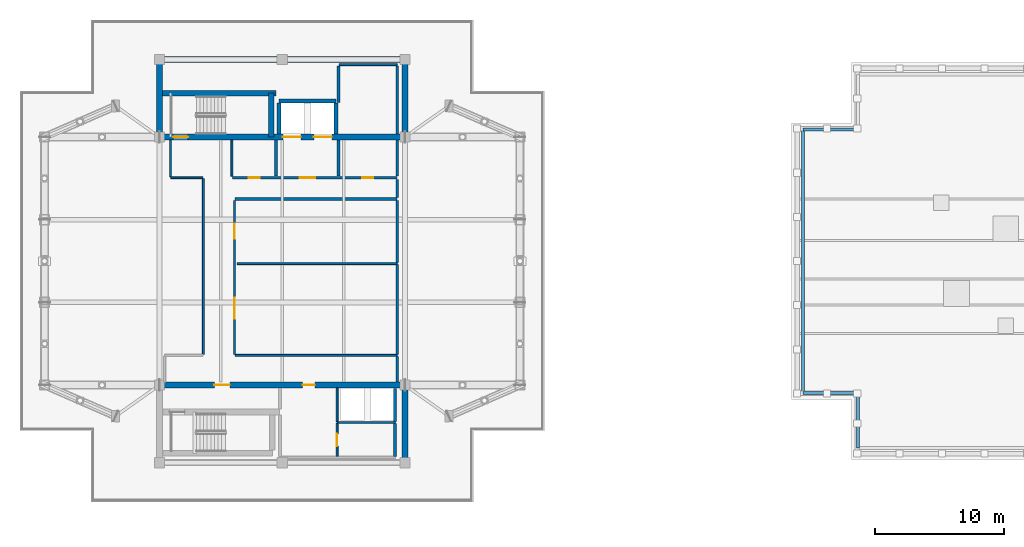
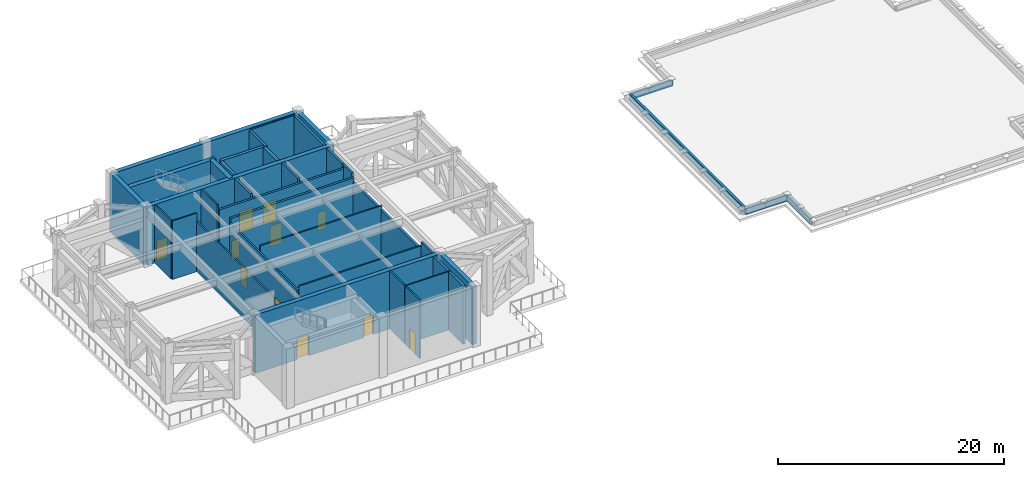
# One storey, part 6 of 11: 39 walls, 11 doors, 11 openings.
"""IFC4 building model written with IfcOpenShell, lengths in metres."""

import ifcopenshell
import ifcopenshell.guid

model = None  # the IFC model being written
_history = None  # IfcOwnerHistory: only IFC2X3 demands one
_inside = {}  # id of a spatial element -> (the spatial element, [elements in it])
_under = {}  # id of a project, library or spatial element -> (it, [spatial elements below it])
_declared = {}  # id of a project -> (the project, [libraries it declares])
_typed = {}  # id of a type object -> (the type object, [elements of that type])
_made_of = {}  # id of a material, layer set ... -> (it, [elements and type objects made of it])


def new_model(schema):
    """Start an empty IFC model of exactly this schema.

    Asked for "IFC4X3", IfcOpenShell would pick the latest addendum, in which some entities
    have other attributes; the version numbers below select the first issue.
    IFC2X3 requires an IfcOwnerHistory on every rooted entity: one is made here for all.
    """
    global model, _history
    if schema == "IFC4X3":
        model = ifcopenshell.file(schema_version=(4, 3, 0, 0))
    else:
        model = ifcopenshell.file(schema=schema)
    _inside.clear()
    _under.clear()
    _declared.clear()
    _typed.clear()
    _made_of.clear()
    _history = None
    if model.schema == "IFC2X3":
        org = make("IfcOrganization", Name="unknown")
        user = make(
            "IfcPersonAndOrganization",
            ThePerson=make("IfcPerson", FamilyName="unknown"),
            TheOrganization=org,
        )
        app = make(
            "IfcApplication",
            ApplicationDeveloper=org,
            Version="unknown",
            ApplicationFullName="unknown",
            ApplicationIdentifier="unknown",
        )
        _history = make(
            "IfcOwnerHistory",
            OwningUser=user,
            OwningApplication=app,
            ChangeAction="ADDED",
            CreationDate=0,
        )
    return model


def make(cls, **values):
    """One entity of the class cls with the attributes given. An attribute that is None is left unset."""
    return model.create_entity(
        cls, **{name: value for name, value in values.items() if value is not None}
    )


def rooted(cls, **values):
    """An entity with a GlobalId (a new one), such as an element, a storey or a relation."""
    return make(cls, GlobalId=ifcopenshell.guid.new(), OwnerHistory=_history, **values)


def si_unit(unit_type, name, prefix=None):
    """IfcSIUnit, for example si_unit("LENGTHUNIT", "METRE", prefix="MILLI")."""
    return make("IfcSIUnit", UnitType=unit_type, Prefix=prefix, Name=name)


def assignment(units):
    """IfcUnitAssignment: the units of a project."""
    return None if units is None else make("IfcUnitAssignment", Units=units)


def point(xyz):
    """IfcCartesianPoint."""
    return None if xyz is None else make("IfcCartesianPoint", Coordinates=xyz)


def direction(xyz):
    """IfcDirection."""
    return None if xyz is None else make("IfcDirection", DirectionRatios=xyz)


def frame(location, z_axis=None, x_axis=None):
    """IfcAxis2Placement3D, a coordinate frame: its origin and axes. An axis left out is left unset."""
    return make(
        "IfcAxis2Placement3D",
        Location=point(location),
        Axis=direction(z_axis),
        RefDirection=direction(x_axis),
    )


def frame_2d(location, x_axis=None):
    """IfcAxis2Placement2D, a coordinate frame in the plane: its origin and x axis."""
    return make(
        "IfcAxis2Placement2D", Location=point(location), RefDirection=direction(x_axis)
    )


def origin():
    """The frame at (0, 0, 0) with its axes left unset."""
    return frame((0.0, 0.0, 0.0))


def place(relative_to, where):
    """IfcLocalPlacement: puts the frame where relative to a parent placement (None: the world)."""
    return make(
        "IfcLocalPlacement", PlacementRelTo=relative_to, RelativePlacement=where
    )


def context(
    kind, dimensions, precision=None, world=None, true_north=None, identifier=None
):
    """IfcGeometricRepresentationContext, for example the 3D "Model" context."""
    return make(
        "IfcGeometricRepresentationContext",
        ContextIdentifier=identifier,
        ContextType=kind,
        CoordinateSpaceDimension=dimensions,
        Precision=precision,
        WorldCoordinateSystem=world,
        TrueNorth=true_north,
    )


def subcontext(parent, identifier, kind, view, scale=None):
    """IfcGeometricRepresentationSubContext, for example "Body" below "Model"."""
    return make(
        "IfcGeometricRepresentationSubContext",
        ContextIdentifier=identifier,
        ContextType=kind,
        ParentContext=parent,
        TargetScale=scale,
        TargetView=view,
    )


def project(units=None, contexts=None):
    """IfcProject with its units and contexts."""
    return rooted(
        "IfcProject",
        Name="project",
        RepresentationContexts=contexts,
        UnitsInContext=assignment(units),
    )


def spatial(cls, under=None, at=None, **own):
    """A site, building, storey or space (cls), placed at a placement, below another one or the project."""
    s = rooted(cls, ObjectPlacement=at, **own)
    if under is not None:
        _under.setdefault(under.id(), (under, []))[1].append(s)
    return s


def profile(cls, at=None, kind="AREA", **sizes):
    """A parametric profile (cls). Its sizes go by their IFC names, for example OverallWidth=200.0."""
    return make(cls, ProfileType=kind, Position=at, **sizes)


def rectangle(**sizes):
    """IfcRectangleProfileDef."""
    return profile("IfcRectangleProfileDef", **sizes)


def extrude(swept, where, along, depth):
    """IfcExtrudedAreaSolid: the profile swept, set in the frame where, extruded along a direction by depth."""
    return make(
        "IfcExtrudedAreaSolid",
        SweptArea=swept,
        Position=where,
        ExtrudedDirection=direction(along),
        Depth=depth,
    )


def shape(context_of_items, identifier, shape_type, items):
    """IfcShapeRepresentation: the items that make up one representation, for example the "Body"."""
    return make(
        "IfcShapeRepresentation",
        ContextOfItems=context_of_items,
        RepresentationIdentifier=identifier,
        RepresentationType=shape_type,
        Items=items,
    )


def material(Name=None, Category=None):
    """IfcMaterial."""
    return make("IfcMaterial", Name=Name, Category=Category)


def layer(
    of_material, thickness, ventilated=None, Name=None, Category=None, Priority=None
):
    """IfcMaterialLayer: one layer of a wall or slab, of a material (None: an air gap)."""
    return make(
        "IfcMaterialLayer",
        Material=of_material,
        LayerThickness=thickness,
        IsVentilated=ventilated,
        Name=Name,
        Category=Category,
        Priority=Priority,
    )


def layer_set(layers, Name=None):
    """IfcMaterialLayerSet."""
    return make("IfcMaterialLayerSet", MaterialLayers=layers, LayerSetName=Name)


def made_of(thing, what):
    """Note that an element or type object is made of a material, layer set ...; save() writes the relation."""
    if what is not None:
        _made_of.setdefault(what.id(), (what, []))[1].append(thing)
    return thing


def type_object(cls, material=None, **own):
    """A type object (cls), such as IfcWallType, which elements share."""
    return made_of(rooted(cls, **own), material)


def element(
    cls,
    number,
    at=None,
    inside=None,
    cuts=None,
    type_object=None,
    material=None,
    context=None,
    identifier="Body",
    shape_type=None,
    held_by="IfcProductDefinitionShape",
    body=None,
    shapes=None,
    **own,
):
    """One element of the class cls, such as IfcWall. Its Tag is "e" and its number.

    at: its placement. inside: the storey or other place that contains it. cuts: it is an
    opening in that element (IfcRelVoidsElement). A single representation is given by context,
    identifier, shape_type and body (its items); several are given by shapes. held_by: the class
    of the entity that holds the representations. save() writes the other relations.
    """
    e = rooted(cls, Tag="e%d" % number, ObjectPlacement=at, **own)
    if body is not None:
        shapes = [shape(context, identifier, shape_type, body)]
    if shapes is not None:
        e.Representation = make(held_by, Representations=shapes)
    if inside is not None:
        _inside.setdefault(inside.id(), (inside, []))[1].append(e)
    if cuts is not None:
        rooted(
            "IfcRelVoidsElement", RelatingBuildingElement=cuts, RelatedOpeningElement=e
        )
    if type_object is not None:
        _typed.setdefault(type_object.id(), (type_object, []))[1].append(e)
    return made_of(e, material)


def fill(opening, filler):
    """IfcRelFillsElement: the door or window that sits in an opening."""
    return rooted(
        "IfcRelFillsElement",
        RelatingOpeningElement=opening,
        RelatedBuildingElement=filler,
    )


def aggregate(whole, parts):
    """IfcRelAggregates: a whole, such as a stair, and the parts it consists of."""
    return rooted("IfcRelAggregates", RelatingObject=whole, RelatedObjects=parts)


def save(model, path):
    """Write the relations noted so far, then the file.

    IfcRelAggregates (storeys below a building ...), IfcRelContainedInSpatialStructure (elements
    in a storey), IfcRelDefinesByType, IfcRelAssociatesMaterial and IfcRelDeclares: one each for
    every whole, place, type object, material and project.
    """
    for whole, parts in _under.values():
        aggregate(whole, parts)
    for where, things in _inside.values():
        rooted(
            "IfcRelContainedInSpatialStructure",
            RelatedElements=things,
            RelatingStructure=where,
        )
    for kind, things in _typed.values():
        rooted("IfcRelDefinesByType", RelatedObjects=things, RelatingType=kind)
    for what, things in _made_of.values():
        rooted("IfcRelAssociatesMaterial", RelatedObjects=things, RelatingMaterial=what)
    for by, libraries in _declared.values():
        rooted("IfcRelDeclares", RelatingContext=by, RelatedDefinitions=libraries)
    model.write(path)


model = new_model("IFC4")

# Units and contexts
model_context = context("Model", 3, precision=1e-05, world=origin(), true_north=direction((0.0, 1.0)))
body_context = subcontext(model_context, "Body", "Model", "MODEL_VIEW")
ifc_project = project(units=[si_unit("LENGTHUNIT", "METRE"), si_unit("AREAUNIT", "SQUARE_METRE"), si_unit("VOLUMEUNIT", "CUBIC_METRE"), si_unit("PLANEANGLEUNIT", "RADIAN"), si_unit("MASSUNIT", "GRAM", prefix="KILO")], contexts=[model_context])

# Site, building, storey
site_placement = place(None, origin())
site = spatial("IfcSite", under=ifc_project, at=site_placement, CompositionType="ELEMENT")
building_placement = place(site_placement, origin())
building = spatial("IfcBuilding", under=site, at=building_placement, Name="Mirazonda Arch Towers", CompositionType="ELEMENT")
storey_placement = place(building_placement, frame((0.0, 0.0, 212.89990234375)))
storey = spatial("IfcBuildingStorey", under=building, at=storey_placement, Name="L61", CompositionType="ELEMENT", Elevation=212.89990234375)

# Walls
ifc_material_1 = material(Name="Concrete C50/60", Category="concrete")
ifc_layer_1 = layer(ifc_material_1, 0.449951171875, Name="WALL-CORE-450")
ifc_layer_set_1 = layer_set([ifc_layer_1], Name="Concrete C50/60")
wall_type_1 = type_object("IfcWallType", Name="WALL-CORE-450", PredefinedType="SHEAR", material=ifc_layer_set_1)
wall_1_placement = place(storey_placement, frame((11.0, 43.60009765625, 0.0), z_axis=(0.0, 0.0, 1.0), x_axis=(1.0, 0.0, 0.0)))
element("IfcWall", 1, at=wall_1_placement, inside=storey, type_object=wall_type_1, Name="L61 T1N-N Core Shear Wall", PredefinedType="SHEAR", context=body_context, shape_type="SweptSolid", body=[
    extrude(rectangle(XDim=19.0, YDim=0.449951171875, at=frame_2d((9.5, 0.0))), origin(), (0.0, 0.0, 1.0), 6.300048828125),
])
for number, where, z_axis, x_axis, name in (
    (2, (11.0, 37.60009765625, 0.0), (0.0, 0.0, 1.0), (0.0, 1.0, 0.0), "L61 T1N-W Core Shear Wall"),
    (3, (30.0, 37.60009765625, 0.0), (0.0, 0.0, 1.0), (0.0, 1.0, 0.0), "L61 T1N-E Core Shear Wall"),
):
    element("IfcWall", number, at=place(storey_placement, frame(where, z_axis=z_axis, x_axis=x_axis)), inside=storey, type_object=wall_type_1, Name=name, PredefinedType="SHEAR", context=body_context, shape_type="SweptSolid", body=[
        extrude(rectangle(XDim=6.0, YDim=0.449951171875, at=frame_2d((3.0, 0.0))), origin(), (0.0, 0.0, 1.0), 6.300048828125),
    ])

# Wall, openings, doors
wall_2_placement = place(storey_placement, frame((11.0, 37.60009765625, 0.0), z_axis=(0.0, 0.0, 1.0), x_axis=(1.0, 0.0, 0.0)))
wall_2 = element("IfcWall", 4, at=wall_2_placement, inside=storey, type_object=wall_type_1, Name="L61 T1N-S Core Shear Wall", PredefinedType="SHEAR", context=body_context, shape_type="SweptSolid", body=[
    extrude(rectangle(XDim=19.0, YDim=0.449951171875, at=frame_2d((9.5, 0.0))), origin(), (0.0, 0.0, 1.0), 6.300048828125),
])
opening_1_placement = place(wall_2_placement, frame((1.06005859375, 0.0, 0.0)))
opening_1 = element("IfcOpeningElement", 5, at=opening_1_placement, cuts=wall_2, Name="Opening DR-135", PredefinedType="OPENING", context=body_context, shape_type="SweptSolid", body=[
    extrude(rectangle(XDim=1.14990234375, YDim=2.199951171875, at=frame_2d((0.574951171875, 1.10009765625))), frame((0.0, 0.23486328125, 0.0), z_axis=(0.0, -1.0, 0.0), x_axis=(1.0, 0.0, 0.0)), (0.0, 0.0, 1.0), 0.469970703125),
])
opening_2_placement = place(wall_2_placement, frame((9.550048828125, 0.0, 0.0)))
opening_2 = element("IfcOpeningElement", 6, at=opening_2_placement, cuts=wall_2, Name="Opening LD-112", PredefinedType="OPENING", context=body_context, shape_type="SweptSolid", body=[
    extrude(rectangle(XDim=1.39990234375, YDim=2.35009765625, at=frame_2d((0.699951171875, 1.175048828125))), frame((0.0, 0.23486328125, 0.0), z_axis=(0.0, -1.0, 0.0), x_axis=(1.0, 0.0, 0.0)), (0.0, 0.0, 1.0), 0.469970703125),
])
opening_3_placement = place(wall_2_placement, frame((11.949951171875, 0.0, 0.0)))
opening_3 = element("IfcOpeningElement", 7, at=opening_3_placement, cuts=wall_2, Name="Opening LD-112", PredefinedType="OPENING", context=body_context, shape_type="SweptSolid", body=[
    extrude(rectangle(XDim=1.39990234375, YDim=2.35009765625, at=frame_2d((0.699951171875, 1.175048828125))), frame((0.0, 0.23486328125, 0.0), z_axis=(0.0, -1.0, 0.0), x_axis=(1.0, 0.0, 0.0)), (0.0, 0.0, 1.0), 0.469970703125),
])
ifc_material_2 = material(Name="Architectural Brushed Steel S355", Category="steel")
door_type_1 = type_object("IfcDoorType", Name="DOOR-LIFT-FFL-1400", OperationType="NOTDEFINED", PredefinedType="DOOR", material=ifc_material_2)
door_1_placement = place(opening_2_placement, origin())
door_1 = element("IfcDoor", 8, at=door_1_placement, inside=storey, type_object=door_type_1, Name="L61 Lift Landing Sliding Door FFL-T1", OperationType="DOUBLE_DOOR_SLIDING", OverallHeight=2.35009765625, OverallWidth=1.39990234375, PredefinedType="DOOR", context=body_context, shape_type="SweptSolid", body=[
    extrude(rectangle(XDim=1.39990234375, YDim=2.35009765625, at=frame_2d((0.699951171875, 1.175048828125))), frame((0.0, 0.02490234375, 0.0), z_axis=(0.0, -1.0, 0.0), x_axis=(1.0, 0.0, 0.0)), (0.0, 0.0, 1.0), 0.050048828125),
])
fill(opening_2, door_1)
door_2_placement = place(opening_3_placement, origin())
door_2 = element("IfcDoor", 9, at=door_2_placement, inside=storey, type_object=door_type_1, Name="L61 Lift Landing Sliding Door SVL-T1", OperationType="DOUBLE_DOOR_SLIDING", OverallHeight=2.35009765625, OverallWidth=1.39990234375, PredefinedType="DOOR", context=body_context, shape_type="SweptSolid", body=[
    extrude(rectangle(XDim=1.39990234375, YDim=2.35009765625, at=frame_2d((0.699951171875, 1.175048828125))), frame((0.0, 0.02490234375, 0.0), z_axis=(0.0, -1.0, 0.0), x_axis=(1.0, 0.0, 0.0)), (0.0, 0.0, 1.0), 0.050048828125),
])
fill(opening_3, door_2)
door_type_2 = type_object("IfcDoorType", Name="DOOR-STAIR-FD90-1150", OperationType="NOTDEFINED", PredefinedType="DOOR", material=ifc_material_2)
door_3_placement = place(opening_1_placement, origin())
door_3 = element("IfcDoor", 10, at=door_3_placement, inside=storey, type_object=door_type_2, Name="L61 Protected Exit Stair North Door", OperationType="SINGLE_SWING_RIGHT", OverallHeight=2.199951171875, OverallWidth=1.14990234375, PredefinedType="DOOR", context=body_context, shape_type="SweptSolid", body=[
    extrude(rectangle(XDim=1.14990234375, YDim=2.199951171875, at=frame_2d((0.574951171875, 1.10009765625))), frame((0.0, 0.02490234375, 0.0), z_axis=(0.0, -1.0, 0.0), x_axis=(1.0, 0.0, 0.0)), (0.0, 0.0, 1.0), 0.050048828125),
])
fill(opening_1, door_3)

# Walls
wall_3_placement = place(storey_placement, frame((11.0, 40.992919921875, 0.0), z_axis=(0.0, 0.0, 1.0), x_axis=(1.0, 0.0, 0.0)))
element("IfcWall", 11, at=wall_3_placement, inside=storey, type_object=wall_type_1, Name="L61 T1N-STN Core Shear Wall", PredefinedType="SHEAR", context=body_context, shape_type="SweptSolid", body=[
    extrude(rectangle(XDim=9.0, YDim=0.449951171875, at=frame_2d((4.5, 0.0))), origin(), (0.0, 0.0, 1.0), 6.300048828125),
])
wall_4_placement = place(storey_placement, frame((19.64990234375, 37.60009765625, 0.0), z_axis=(0.0, 0.0, 1.0), x_axis=(0.0, 1.0, 0.0)))
element("IfcWall", 12, at=wall_4_placement, inside=storey, type_object=wall_type_1, Name="L61 T1N-STE Core Shear Wall", PredefinedType="SHEAR", context=body_context, shape_type="SweptSolid", body=[
    extrude(rectangle(XDim=3.392822265625, YDim=0.449951171875, at=frame_2d((1.6962890625, 0.0))), origin(), (0.0, 0.0, 1.0), 6.300048828125),
])
wall_5_placement = place(storey_placement, frame((30.0, 12.39990234375, 0.0), z_axis=(0.0, 0.0, 1.0), x_axis=(0.0, 1.0, 0.0)))
element("IfcWall", 13, at=wall_5_placement, inside=storey, type_object=wall_type_1, Name="L61 T1S-E Core Shear Wall", PredefinedType="SHEAR", context=body_context, shape_type="SweptSolid", body=[
    extrude(rectangle(XDim=6.0, YDim=0.449951171875, at=frame_2d((3.0, 0.0))), origin(), (0.0, 0.0, 1.0), 6.300048828125),
])

# Wall, openings, doors
wall_6_placement = place(storey_placement, frame((11.0, 18.39990234375, 0.0), z_axis=(0.0, 0.0, 1.0), x_axis=(1.0, 0.0, 0.0)))
wall_6 = element("IfcWall", 14, at=wall_6_placement, inside=storey, type_object=wall_type_1, Name="L61 T1S-N Core Shear Wall", PredefinedType="SHEAR", context=body_context, shape_type="SweptSolid", body=[
    extrude(rectangle(XDim=19.0, YDim=0.449951171875, at=frame_2d((9.5, 0.0))), origin(), (0.0, 0.0, 1.0), 6.300048828125),
])
opening_4_placement = place(wall_6_placement, frame((4.239990234375, 0.0, 0.0)))
opening_4 = element("IfcOpeningElement", 15, at=opening_4_placement, cuts=wall_6, Name="Opening DR-117", PredefinedType="OPENING", context=body_context, shape_type="SweptSolid", body=[
    extrude(rectangle(XDim=1.199951171875, YDim=2.25, at=frame_2d((0.60009765625, 1.125))), frame((0.0, 0.23486328125, 0.0), z_axis=(0.0, -1.0, 0.0), x_axis=(1.0, 0.0, 0.0)), (0.0, 0.0, 1.0), 0.469970703125),
])
opening_5_placement = place(wall_6_placement, frame((11.074951171875, 0.0, 0.0)))
opening_5 = element("IfcOpeningElement", 16, at=opening_5_placement, cuts=wall_6, Name="Opening DR-104", PredefinedType="OPENING", context=body_context, shape_type="SweptSolid", body=[
    extrude(rectangle(XDim=0.949951171875, YDim=2.14990234375, at=frame_2d((0.47509765625, 1.074951171875))), frame((0.0, 0.23486328125, 0.0), z_axis=(0.0, -1.0, 0.0), x_axis=(1.0, 0.0, 0.0)), (0.0, 0.0, 1.0), 0.469970703125),
])
door_type_3 = type_object("IfcDoorType", Name="DOOR-FFL-FD90-1200", OperationType="NOTDEFINED", PredefinedType="DOOR", material=ifc_material_2)
door_4_placement = place(opening_4_placement, origin())
door_4 = element("IfcDoor", 17, at=door_4_placement, inside=storey, type_object=door_type_3, Name="L61 South Core Stair & Lift Lobby Door", OperationType="SINGLE_SWING_RIGHT", OverallHeight=2.25, OverallWidth=1.199951171875, PredefinedType="DOOR", context=body_context, shape_type="SweptSolid", body=[
    extrude(rectangle(XDim=1.199951171875, YDim=2.25, at=frame_2d((0.60009765625, 1.125))), frame((0.0, 0.02490234375, 0.0), z_axis=(0.0, -1.0, 0.0), x_axis=(1.0, 0.0, 0.0)), (0.0, 0.0, 1.0), 0.050048828125),
])
fill(opening_4, door_4)
door_type_4 = type_object("IfcDoorType", Name="DOOR-ROOM-950", OperationType="NOTDEFINED", PredefinedType="DOOR", material=ifc_material_2)
door_5_placement = place(opening_5_placement, origin())
door_5 = element("IfcDoor", 18, at=door_5_placement, inside=storey, type_object=door_type_4, Name="L61 Residents Wine Tasting Lounge Door", OperationType="SINGLE_SWING_RIGHT", OverallHeight=2.14990234375, OverallWidth=0.949951171875, PredefinedType="DOOR", context=body_context, shape_type="SweptSolid", body=[
    extrude(rectangle(XDim=0.949951171875, YDim=2.14990234375, at=frame_2d((0.47509765625, 1.074951171875))), frame((0.0, 0.02490234375, 0.0), z_axis=(0.0, -1.0, 0.0), x_axis=(1.0, 0.0, 0.0)), (0.0, 0.0, 1.0), 0.050048828125),
])
fill(opening_5, door_5)

# Wall
ifc_material_3 = material(Name="Concrete C40/50", Category="concrete")
ifc_layer_2 = layer(ifc_material_3, 0.219970703125, Name="WALL-FFL-220")
ifc_layer_set_2 = layer_set([ifc_layer_2], Name="Concrete C40/50")
wall_type_2 = type_object("IfcWallType", Name="WALL-FFL-220", PredefinedType="SOLIDWALL", material=ifc_layer_set_2)
wall_7_placement = place(storey_placement, frame((16.85009765625, 32.800048828125, 0.0), z_axis=(0.0, 0.0, 1.0), x_axis=(1.0, 0.0, 0.0)))
element("IfcWall", 19, at=wall_7_placement, inside=storey, type_object=wall_type_2, Name="L61 Interior Partition 008", PredefinedType="SOLIDWALL", context=body_context, shape_type="SweptSolid", body=[
    extrude(rectangle(XDim=12.5498046875, YDim=0.219970703125, at=frame_2d((6.27490234375, 0.0))), origin(), (0.0, 0.0, 1.0), 5.875),
])

# Wall, openings, doors
wall_8_placement = place(storey_placement, frame((16.639892578125, 34.449951171875, 0.0), z_axis=(0.0, 0.0, 1.0), x_axis=(1.0, 0.0, 0.0)))
wall_8 = element("IfcWall", 20, at=wall_8_placement, inside=storey, type_object=wall_type_2, Name="L61 Interior Partition 010", PredefinedType="SOLIDWALL", context=body_context, shape_type="SweptSolid", body=[
    extrude(rectangle(XDim=12.760009765625, YDim=0.219970703125, at=frame_2d((6.3798828125, 0.0))), origin(), (0.0, 0.0, 1.0), 5.875),
])
opening_6_placement = place(wall_8_placement, frame((5.2099609375, 0.0, 0.0)))
opening_6 = element("IfcOpeningElement", 21, at=opening_6_placement, cuts=wall_8, Name="Opening DR-117", PredefinedType="OPENING", context=body_context, shape_type="SweptSolid", body=[
    extrude(rectangle(XDim=1.199951171875, YDim=2.25, at=frame_2d((0.60009765625, 1.125))), frame((0.0, 0.119873046875, 0.0), z_axis=(0.0, -1.0, 0.0), x_axis=(1.0, 0.0, 0.0)), (0.0, 0.0, 1.0), 0.239990234375),
])
opening_7_placement = place(wall_8_placement, frame((10.06494140625, 0.0, 0.0)))
opening_7 = element("IfcOpeningElement", 22, at=opening_7_placement, cuts=wall_8, Name="Opening DR-128", PredefinedType="OPENING", context=body_context, shape_type="SweptSolid", body=[
    extrude(rectangle(XDim=0.85009765625, YDim=2.010009765625, at=frame_2d((0.425048828125, 1.0048828125))), frame((0.0, 0.119873046875, 0.0), z_axis=(0.0, -1.0, 0.0), x_axis=(1.0, 0.0, 0.0)), (0.0, 0.0, 1.0), 0.239990234375),
])
opening_8_placement = place(wall_8_placement, frame((1.25, 0.0, 0.0)))
opening_8 = element("IfcOpeningElement", 23, at=opening_8_placement, cuts=wall_8, Name="Opening DR-128", PredefinedType="OPENING", context=body_context, shape_type="SweptSolid", body=[
    extrude(rectangle(XDim=0.85009765625, YDim=2.010009765625, at=frame_2d((0.425048828125, 1.0048828125))), frame((0.0, 0.119873046875, 0.0), z_axis=(0.0, -1.0, 0.0), x_axis=(1.0, 0.0, 0.0)), (0.0, 0.0, 1.0), 0.239990234375),
])
door_6_placement = place(opening_6_placement, origin())
door_6 = element("IfcDoor", 24, at=door_6_placement, inside=storey, type_object=door_type_3, Name="L61 Firefighting Lift Lobby Door", OperationType="SINGLE_SWING_LEFT", OverallHeight=2.25, OverallWidth=1.199951171875, PredefinedType="DOOR", context=body_context, shape_type="SweptSolid", body=[
    extrude(rectangle(XDim=1.199951171875, YDim=2.25, at=frame_2d((0.60009765625, 1.125))), frame((0.0, 0.02490234375, 0.0), z_axis=(0.0, -1.0, 0.0), x_axis=(1.0, 0.0, 0.0)), (0.0, 0.0, 1.0), 0.050048828125),
])
fill(opening_6, door_6)
door_type_5 = type_object("IfcDoorType", Name="DOOR-RISER-FD60-850", OperationType="NOTDEFINED", PredefinedType="DOOR", material=ifc_material_2)
door_7_placement = place(opening_7_placement, origin())
door_7 = element("IfcDoor", 25, at=door_7_placement, inside=storey, type_object=door_type_5, Name="L61 Mechanical Exhaust & Riser Plant Room Door", OperationType="SINGLE_SWING_RIGHT", OverallHeight=2.010009765625, OverallWidth=0.85009765625, PredefinedType="DOOR", context=body_context, shape_type="SweptSolid", body=[
    extrude(rectangle(XDim=0.85009765625, YDim=2.010009765625, at=frame_2d((0.425048828125, 1.0048828125))), frame((0.0, 0.02490234375, 0.0), z_axis=(0.0, -1.0, 0.0), x_axis=(1.0, 0.0, 0.0)), (0.0, 0.0, 1.0), 0.050048828125),
])
fill(opening_7, door_7)
door_8_placement = place(opening_8_placement, origin())
door_8 = element("IfcDoor", 26, at=door_8_placement, inside=storey, type_object=door_type_5, Name="L61 Electrical & Housekeeping Service Room Door", OperationType="SINGLE_SWING_LEFT", OverallHeight=2.010009765625, OverallWidth=0.85009765625, PredefinedType="DOOR", context=body_context, shape_type="SweptSolid", body=[
    extrude(rectangle(XDim=0.85009765625, YDim=2.010009765625, at=frame_2d((0.425048828125, 1.0048828125))), frame((0.0, 0.02490234375, 0.0), z_axis=(0.0, -1.0, 0.0), x_axis=(1.0, 0.0, 0.0)), (0.0, 0.0, 1.0), 0.050048828125),
])
fill(opening_8, door_8)

# Walls
for number, where, z_axis, x_axis, name in (
    (27, (20.02490234375, 34.570068359375, 0.0), (0.0, 0.0, 1.0), (0.0, 1.0, 0.0), "L61 Interior Partition 019"),
    (28, (24.85009765625, 34.570068359375, 0.0), (0.0, 0.0, 1.0), (0.0, 1.0, 0.0), "L61 Interior Partition 026"),
):
    element("IfcWall", number, at=place(storey_placement, frame(where, z_axis=z_axis, x_axis=x_axis)), inside=storey, type_object=wall_type_2, Name=name, PredefinedType="SOLIDWALL", context=body_context, shape_type="SweptSolid", body=[
        extrude(rectangle(XDim=2.809814453125, YDim=0.219970703125, at=frame_2d((1.40478515625, 0.0))), origin(), (0.0, 0.0, 1.0), 6.300048828125),
    ])
wall_9_placement = place(storey_placement, frame((24.85009765625, 40.260009765625, 0.0), z_axis=(0.0, 0.0, 1.0), x_axis=(0.0, 1.0, 0.0)))
element("IfcWall", 29, at=wall_9_placement, inside=storey, type_object=wall_type_2, Name="L61 Interior Partition 027", PredefinedType="SOLIDWALL", context=body_context, shape_type="SweptSolid", body=[
    extrude(rectangle(XDim=2.85498046875, YDim=0.219970703125, at=frame_2d((1.427490234375, 0.0))), origin(), (0.0, 0.0, 1.0), 6.300048828125),
])
wall_10_placement = place(storey_placement, frame((29.39990234375, 18.6201171875, 0.0), z_axis=(0.0, 0.0, 1.0), x_axis=(0.0, 1.0, 0.0)))
element("IfcWall", 30, at=wall_10_placement, inside=storey, type_object=wall_type_2, Name="L61 Interior Partition 030", PredefinedType="SOLIDWALL", context=body_context, shape_type="SweptSolid", body=[
    extrude(rectangle(XDim=1.994873046875, YDim=0.219970703125, at=frame_2d((0.99755859375, 0.0))), origin(), (0.0, 0.0, 1.0), 6.300048828125),
])
wall_11_placement = place(storey_placement, frame((29.39990234375, 20.784912109375, 0.0), z_axis=(0.0, 0.0, 1.0), x_axis=(0.0, 1.0, 0.0)))
element("IfcWall", 31, at=wall_11_placement, inside=storey, type_object=wall_type_2, Name="L61 Interior Partition 031", PredefinedType="SOLIDWALL", context=body_context, shape_type="SweptSolid", body=[
    extrude(rectangle(XDim=6.93017578125, YDim=0.219970703125, at=frame_2d((3.465087890625, 0.0))), origin(), (0.0, 0.0, 1.0), 5.43603515625),
])
wall_12_placement = place(storey_placement, frame((29.39990234375, 27.885009765625, 0.0), z_axis=(0.0, 0.0, 1.0), x_axis=(0.0, 1.0, 0.0)))
element("IfcWall", 32, at=wall_12_placement, inside=storey, type_object=wall_type_2, Name="L61 Interior Partition 032", PredefinedType="SOLIDWALL", context=body_context, shape_type="SweptSolid", body=[
    extrude(rectangle(XDim=4.794921875, YDim=0.219970703125, at=frame_2d((2.3974609375, 0.0))), origin(), (0.0, 0.0, 1.0), 5.43603515625),
])
wall_13_placement = place(storey_placement, frame((29.39990234375, 32.919921875, 0.0), z_axis=(0.0, 0.0, 1.0), x_axis=(0.0, 1.0, 0.0)))
element("IfcWall", 33, at=wall_13_placement, inside=storey, type_object=wall_type_2, Name="L61 Interior Partition 033", PredefinedType="SOLIDWALL", context=body_context, shape_type="SweptSolid", body=[
    extrude(rectangle(XDim=1.41015625, YDim=0.219970703125, at=frame_2d((0.705078125, 0.0))), origin(), (0.0, 0.0, 1.0), 6.300048828125),
])
wall_14_placement = place(storey_placement, frame((29.39990234375, 34.570068359375, 0.0), z_axis=(0.0, 0.0, 1.0), x_axis=(0.0, 1.0, 0.0)))
element("IfcWall", 34, at=wall_14_placement, inside=storey, type_object=wall_type_2, Name="L61 Interior Partition 034", PredefinedType="SOLIDWALL", context=body_context, shape_type="SweptSolid", body=[
    extrude(rectangle(XDim=2.809814453125, YDim=0.219970703125, at=frame_2d((1.40478515625, 0.0))), origin(), (0.0, 0.0, 1.0), 6.300048828125),
])
wall_15_placement = place(storey_placement, frame((29.39990234375, 37.820068359375, 0.0), z_axis=(0.0, 0.0, 1.0), x_axis=(0.0, 1.0, 0.0)))
element("IfcWall", 35, at=wall_15_placement, inside=storey, type_object=wall_type_2, Name="L61 Interior Partition 035", PredefinedType="SOLIDWALL", context=body_context, shape_type="SweptSolid", body=[
    extrude(rectangle(XDim=5.294921875, YDim=0.219970703125, at=frame_2d((2.6474609375, 0.0))), origin(), (0.0, 0.0, 1.0), 6.300048828125),
])
ifc_layer_3 = layer(ifc_material_3, 0.239990234375, Name="WALL-PARAPET-240")
ifc_layer_set_3 = layer_set([ifc_layer_3], Name="Concrete C40/50")
wall_type_3 = type_object("IfcWallType", Name="WALL-PARAPET-240", PredefinedType="PARAPET", material=ifc_layer_set_3)
wall_16_placement = place(storey_placement, frame((65.062255859375, 38.19873046875, 0.0), z_axis=(0.0, 0.0, 1.0), x_axis=(-1.0, 0.0, 0.0)))
element("IfcWall", 36, at=wall_16_placement, inside=storey, type_object=wall_type_3, Name="T2 Crown Roof Maintenance Parapet 09", PredefinedType="PARAPET", context=body_context, shape_type="SweptSolid", body=[
    extrude(rectangle(XDim=4.259765625, YDim=0.239990234375, at=frame_2d((2.1298828125, 0.0))), origin(), (0.0, 0.0, 1.0), 0.650146484375),
])
wall_17_placement = place(storey_placement, frame((60.802490234375, 38.19873046875, 0.0), z_axis=(0.0, 0.0, 1.0), x_axis=(0.0, -1.0, 0.0)))
element("IfcWall", 37, at=wall_17_placement, inside=storey, type_object=wall_type_3, Name="T2 Crown Roof Maintenance Parapet 10", PredefinedType="PARAPET", context=body_context, shape_type="SweptSolid", body=[
    extrude(rectangle(XDim=20.3974609375, YDim=0.239990234375, at=frame_2d((10.19873046875, 0.0))), origin(), (0.0, 0.0, 1.0), 0.650146484375),
])
for number, where, z_axis, x_axis, name in (
    (38, (60.802490234375, 17.80126953125, 0.0), (0.0, 0.0, 1.0), (1.0, 0.0, 0.0), "T2 Crown Roof Maintenance Parapet 11"),
    (39, (65.062255859375, 17.80126953125, 0.0), (0.0, 0.0, 1.0), (0.0, -1.0, 0.0), "T2 Crown Roof Maintenance Parapet 12"),
):
    element("IfcWall", number, at=place(storey_placement, frame(where, z_axis=z_axis, x_axis=x_axis)), inside=storey, type_object=wall_type_3, Name=name, PredefinedType="PARAPET", context=body_context, shape_type="SweptSolid", body=[
        extrude(rectangle(XDim=4.259765625, YDim=0.239990234375, at=frame_2d((2.1298828125, 0.0))), origin(), (0.0, 0.0, 1.0), 0.650146484375),
    ])
ifc_material_4 = material(Name="Fire-Rated Gypsum Stud Partition")
ifc_layer_4 = layer(ifc_material_4, 0.14990234375, Name="WALL-PART-CORR-150")
ifc_layer_set_4 = layer_set([ifc_layer_4], Name="Fire-Rated Gypsum Stud Partition")
wall_type_4 = type_object("IfcWallType", Name="WALL-PART-CORR-150", PredefinedType="PARTITIONING", material=ifc_layer_set_4)
wall_18_placement = place(storey_placement, frame((16.85009765625, 20.699951171875, 0.0), z_axis=(0.0, 0.0, 1.0), x_axis=(1.0, 0.0, 0.0)))
element("IfcWall", 40, at=wall_18_placement, inside=storey, type_object=wall_type_4, Name="L61 Interior Partition 006", PredefinedType="PARTITIONING", context=body_context, shape_type="SweptSolid", body=[
    extrude(rectangle(XDim=12.5498046875, YDim=0.14990234375, at=frame_2d((6.27490234375, 0.0))), origin(), (0.0, 0.0, 1.0), 5.875),
])
wall_19_placement = place(storey_placement, frame((17.0, 27.800048828125, 0.0), z_axis=(0.0, 0.0, 1.0), x_axis=(1.0, 0.0, 0.0)))
element("IfcWall", 41, at=wall_19_placement, inside=storey, type_object=wall_type_4, Name="L61 Interior Partition 007", PredefinedType="PARTITIONING", context=body_context, shape_type="SweptSolid", body=[
    extrude(rectangle(XDim=12.39990234375, YDim=0.14990234375, at=frame_2d((6.199951171875, 0.0))), origin(), (0.0, 0.0, 1.0), 5.875),
])
wall_20_placement = place(storey_placement, frame((11.85009765625, 34.449951171875, 0.0), z_axis=(0.0, 0.0, 1.0), x_axis=(1.0, 0.0, 0.0)))
element("IfcWall", 42, at=wall_20_placement, inside=storey, type_object=wall_type_4, Name="L61 Interior Partition 009", PredefinedType="PARTITIONING", context=body_context, shape_type="SweptSolid", body=[
    extrude(rectangle(XDim=2.5, YDim=0.14990234375, at=frame_2d((1.25, 0.0))), origin(), (0.0, 0.0, 1.0), 6.300048828125),
])
wall_21_placement = place(storey_placement, frame((24.89990234375, 43.199951171875, 0.0), z_axis=(0.0, 0.0, 1.0), x_axis=(1.0, 0.0, 0.0)))
element("IfcWall", 43, at=wall_21_placement, inside=storey, type_object=wall_type_4, Name="L61 Interior Partition 012", PredefinedType="PARTITIONING", context=body_context, shape_type="SweptSolid", body=[
    extrude(rectangle(XDim=4.5, YDim=0.14990234375, at=frame_2d((2.25, 0.0))), origin(), (0.0, 0.0, 1.0), 6.300048828125),
])
wall_22_placement = place(storey_placement, frame((11.85009765625, 34.534912109375, 0.0), z_axis=(0.0, 0.0, 1.0), x_axis=(0.0, 1.0, 0.0)))
element("IfcWall", 44, at=wall_22_placement, inside=storey, type_object=wall_type_4, Name="L61 Interior Partition 014", PredefinedType="PARTITIONING", context=body_context, shape_type="SweptSolid", body=[
    extrude(rectangle(XDim=2.844970703125, YDim=0.14990234375, at=frame_2d((1.42236328125, 0.0))), origin(), (0.0, 0.0, 1.0), 6.300048828125),
])
wall_23_placement = place(storey_placement, frame((14.39990234375, 20.784912109375, 0.0), z_axis=(0.0, 0.0, 1.0), x_axis=(0.0, 1.0, 0.0)))
element("IfcWall", 45, at=wall_23_placement, inside=storey, type_object=wall_type_4, Name="L61 Interior Partition 015", PredefinedType="PARTITIONING", context=body_context, shape_type="SweptSolid", body=[
    extrude(rectangle(XDim=13.580078125, YDim=0.14990234375, at=frame_2d((6.7900390625, 0.0))), origin(), (0.0, 0.0, 1.0), 5.43603515625),
])
wall_24_placement = place(storey_placement, frame((16.60009765625, 34.570068359375, 0.0), z_axis=(0.0, 0.0, 1.0), x_axis=(0.0, 1.0, 0.0)))
element("IfcWall", 46, at=wall_24_placement, inside=storey, type_object=wall_type_4, Name="L61 Interior Partition 016", PredefinedType="PARTITIONING", context=body_context, shape_type="SweptSolid", body=[
    extrude(rectangle(XDim=2.809814453125, YDim=0.14990234375, at=frame_2d((1.40478515625, 0.0))), origin(), (0.0, 0.0, 1.0), 6.300048828125),
])

# Wall, openings, doors
wall_25_placement = place(storey_placement, frame((16.800048828125, 20.784912109375, 0.0), z_axis=(0.0, 0.0, 1.0), x_axis=(0.0, 1.0, 0.0)))
wall_25 = element("IfcWall", 47, at=wall_25_placement, inside=storey, type_object=wall_type_4, Name="L61 Interior Partition 017", PredefinedType="PARTITIONING", context=body_context, shape_type="SweptSolid", body=[
    extrude(rectangle(XDim=11.89501953125, YDim=0.14990234375, at=frame_2d((5.947509765625, 0.0))), origin(), (0.0, 0.0, 1.0), 5.43603515625),
])
opening_9_placement = place(wall_25_placement, frame((8.9599609375, 0.0, 0.0)))
opening_9 = element("IfcOpeningElement", 48, at=opening_9_placement, cuts=wall_25, Name="Opening DR-135", PredefinedType="OPENING", context=body_context, shape_type="SweptSolid", body=[
    extrude(rectangle(XDim=1.14990234375, YDim=2.199951171875, at=frame_2d((0.574951171875, 1.10009765625))), frame((0.0, 0.0849609375, 0.0), z_axis=(0.0, -1.0, 0.0), x_axis=(1.0, 0.0, 0.0)), (0.0, 0.0, 1.0), 0.169921875),
])
opening_10_placement = place(wall_25_placement, frame((2.764892578125, 0.0, 0.0)))
opening_10 = element("IfcOpeningElement", 49, at=opening_10_placement, cuts=wall_25, Name="Opening DR-113", PredefinedType="OPENING", context=body_context, shape_type="SweptSolid", body=[
    extrude(rectangle(XDim=1.60009765625, YDim=2.300048828125, at=frame_2d((0.800048828125, 1.14990234375))), frame((0.0, 0.0849609375, 0.0), z_axis=(0.0, -1.0, 0.0), x_axis=(1.0, 0.0, 0.0)), (0.0, 0.0, 1.0), 0.169921875),
])
door_type_6 = type_object("IfcDoorType", Name="DOOR-PLANT-FD60-1600", OperationType="NOTDEFINED", PredefinedType="DOOR", material=ifc_material_2)
door_9_placement = place(opening_10_placement, origin())
door_9 = element("IfcDoor", 50, at=door_9_placement, inside=storey, type_object=door_type_6, Name="L61 L61 Tower 1 Primary Air-Handling Plant Room Door", OperationType="SINGLE_SWING_LEFT", OverallHeight=2.300048828125, OverallWidth=1.60009765625, PredefinedType="DOOR", context=body_context, shape_type="SweptSolid", body=[
    extrude(rectangle(XDim=1.60009765625, YDim=2.300048828125, at=frame_2d((0.800048828125, 1.14990234375))), frame((0.0, 0.02490234375, 0.0), z_axis=(0.0, -1.0, 0.0), x_axis=(1.0, 0.0, 0.0)), (0.0, 0.0, 1.0), 0.050048828125),
])
fill(opening_10, door_9)
door_10_placement = place(opening_9_placement, origin())
door_10 = element("IfcDoor", 51, at=door_10_placement, inside=storey, type_object=door_type_2, Name="L61 L61 Tower 1 Pressurized Sky-Refuge Area Door", OperationType="SINGLE_SWING_RIGHT", OverallHeight=2.199951171875, OverallWidth=1.14990234375, PredefinedType="DOOR", context=body_context, shape_type="SweptSolid", body=[
    extrude(rectangle(XDim=1.14990234375, YDim=2.199951171875, at=frame_2d((0.574951171875, 1.10009765625))), frame((0.0, 0.02490234375, 0.0), z_axis=(0.0, -1.0, 0.0), x_axis=(1.0, 0.0, 0.0)), (0.0, 0.0, 1.0), 0.050048828125),
])
fill(opening_9, door_10)

# Wall, opening, door
wall_26_placement = place(storey_placement, frame((24.75, 12.885009765625, 0.0), z_axis=(0.0, 0.0, 1.0), x_axis=(0.0, 1.0, 0.0)))
wall_26 = element("IfcWall", 52, at=wall_26_placement, inside=storey, type_object=wall_type_4, Name="L61 Interior Partition 023", PredefinedType="PARTITIONING", context=body_context, shape_type="SweptSolid", body=[
    extrude(rectangle(XDim=2.54248046875, YDim=0.14990234375, at=frame_2d((1.271240234375, 0.0))), origin(), (0.0, 0.0, 1.0), 6.300048828125),
])
opening_11_placement = place(wall_26_placement, frame((0.79638671875, 0.0, 0.0)))
opening_11 = element("IfcOpeningElement", 53, at=opening_11_placement, cuts=wall_26, Name="Opening DR-104", PredefinedType="OPENING", context=body_context, shape_type="SweptSolid", body=[
    extrude(rectangle(XDim=0.949951171875, YDim=2.14990234375, at=frame_2d((0.47509765625, 1.074951171875))), frame((0.0, 0.0849609375, 0.0), z_axis=(0.0, -1.0, 0.0), x_axis=(1.0, 0.0, 0.0)), (0.0, 0.0, 1.0), 0.169921875),
])
door_11_placement = place(opening_11_placement, origin())
door_11 = element("IfcDoor", 54, at=door_11_placement, inside=storey, type_object=door_type_4, Name="L61 Residents Private Archive Study Door", OperationType="SINGLE_SWING_LEFT", OverallHeight=2.14990234375, OverallWidth=0.949951171875, PredefinedType="DOOR", context=body_context, shape_type="SweptSolid", body=[
    extrude(rectangle(XDim=0.949951171875, YDim=2.14990234375, at=frame_2d((0.47509765625, 1.074951171875))), frame((0.0, 0.02490234375, 0.0), z_axis=(0.0, -1.0, 0.0), x_axis=(1.0, 0.0, 0.0)), (0.0, 0.0, 1.0), 0.050048828125),
])
fill(opening_11, door_11)

# Walls
wall_27_placement = place(storey_placement, frame((24.75, 15.572509765625, 0.0), z_axis=(0.0, 0.0, 1.0), x_axis=(0.0, 1.0, 0.0)))
element("IfcWall", 55, at=wall_27_placement, inside=storey, type_object=wall_type_4, Name="L61 Interior Partition 024", PredefinedType="PARTITIONING", context=body_context, shape_type="SweptSolid", body=[
    extrude(rectangle(XDim=2.607421875, YDim=0.14990234375, at=frame_2d((1.3037109375, 0.0))), origin(), (0.0, 0.0, 1.0), 6.300048828125),
])
ifc_material_5 = material(Name="Acoustic Fire-Rated Gypsum Partition")
ifc_layer_5 = layer(ifc_material_5, 0.125, Name="WALL-PART-UNIT-125")
ifc_layer_set_5 = layer_set([ifc_layer_5], Name="Acoustic Fire-Rated Gypsum Partition")
wall_type_5 = type_object("IfcWallType", Name="WALL-PART-UNIT-125", PredefinedType="PARTITIONING", material=ifc_layer_set_5)
wall_28_placement = place(storey_placement, frame((24.75, 15.5, 0.0), z_axis=(0.0, 0.0, 1.0), x_axis=(1.0, 0.0, 0.0)))
element("IfcWall", 56, at=wall_28_placement, inside=storey, type_object=wall_type_5, Name="L61 Interior Partition 003", PredefinedType="PARTITIONING", context=body_context, shape_type="SweptSolid", body=[
    extrude(rectangle(XDim=4.5, YDim=0.125, at=frame_2d((2.25, 0.0))), origin(), (0.0, 0.0, 1.0), 6.300048828125),
])
ifc_layer_6 = layer(ifc_material_3, 0.25, Name="WALL-SHAFT-250")
ifc_layer_set_6 = layer_set([ifc_layer_6], Name="Concrete C40/50")
wall_type_6 = type_object("IfcWallType", Name="WALL-SHAFT-250", PredefinedType="SOLIDWALL", material=ifc_layer_set_6)
wall_29_placement = place(storey_placement, frame((29.22509765625, 12.885009765625, 0.0), z_axis=(0.0, 0.0, 1.0), x_axis=(0.0, 1.0, 0.0)))
element("IfcWall", 57, at=wall_29_placement, inside=storey, type_object=wall_type_6, Name="L61 Interior Partition 028", PredefinedType="SOLIDWALL", context=body_context, shape_type="SweptSolid", body=[
    extrude(rectangle(XDim=2.54248046875, YDim=0.25, at=frame_2d((1.271240234375, 0.0))), origin(), (0.0, 0.0, 1.0), 6.300048828125),
])
wall_30_placement = place(storey_placement, frame((29.22509765625, 15.572509765625, 0.0), z_axis=(0.0, 0.0, 1.0), x_axis=(0.0, 1.0, 0.0)))
element("IfcWall", 58, at=wall_30_placement, inside=storey, type_object=wall_type_6, Name="L61 Interior Partition 029", PredefinedType="SOLIDWALL", context=body_context, shape_type="SweptSolid", body=[
    extrude(rectangle(XDim=2.577392578125, YDim=0.25, at=frame_2d((1.28857421875, 0.0))), origin(), (0.0, 0.0, 1.0), 6.300048828125),
])
ifc_layer_7 = layer(ifc_material_1, 0.300048828125, Name="WALL-SHAFT-300")
ifc_layer_set_7 = layer_set([ifc_layer_7], Name="Concrete C50/60")
wall_type_7 = type_object("IfcWallType", Name="WALL-SHAFT-300", PredefinedType="SOLIDWALL", material=ifc_layer_set_7)
wall_31_placement = place(storey_placement, frame((20.25, 40.39990234375, 0.0), z_axis=(0.0, 0.0, 1.0), x_axis=(1.0, 0.0, 0.0)))
element("IfcWall", 59, at=wall_31_placement, inside=storey, type_object=wall_type_7, Name="L61 Interior Partition 011", PredefinedType="SOLIDWALL", context=body_context, shape_type="SweptSolid", body=[
    extrude(rectangle(XDim=4.39990234375, YDim=0.300048828125, at=frame_2d((2.199951171875, 0.0))), origin(), (0.0, 0.0, 1.0), 6.300048828125),
])
for number, where, z_axis, x_axis, name in (
    (60, (20.25, 37.85009765625, 0.0), (0.0, 0.0, 1.0), (0.0, 1.0, 0.0), "L61 Interior Partition 022"),
    (61, (24.64990234375, 37.85009765625, 0.0), (0.0, 0.0, 1.0), (0.0, 1.0, 0.0), "L61 Interior Partition 025"),
):
    element("IfcWall", number, at=place(storey_placement, frame(where, z_axis=z_axis, x_axis=x_axis)), inside=storey, type_object=wall_type_7, Name=name, PredefinedType="SOLIDWALL", context=body_context, shape_type="SweptSolid", body=[
        extrude(rectangle(XDim=2.389892578125, YDim=0.300048828125, at=frame_2d((1.19482421875, 0.0))), origin(), (0.0, 0.0, 1.0), 6.300048828125),
    ])

save(model, "model.ifc")
